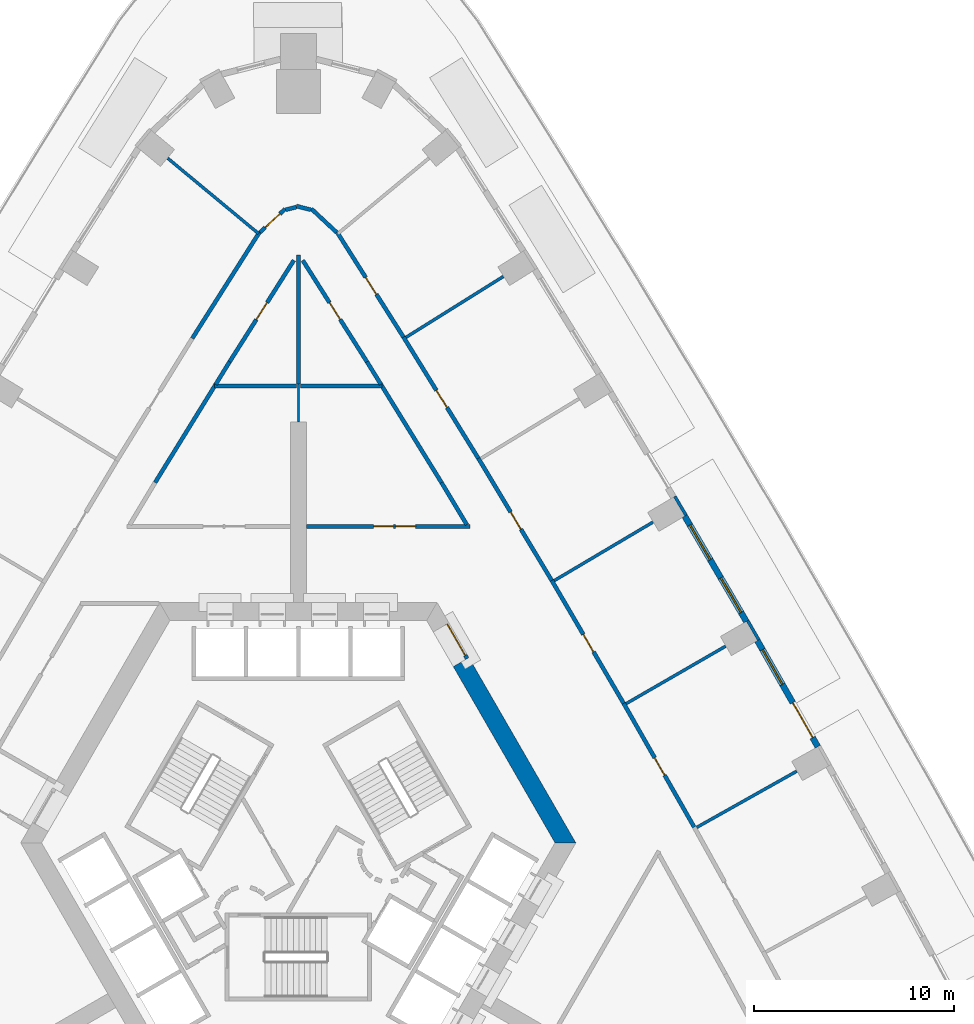
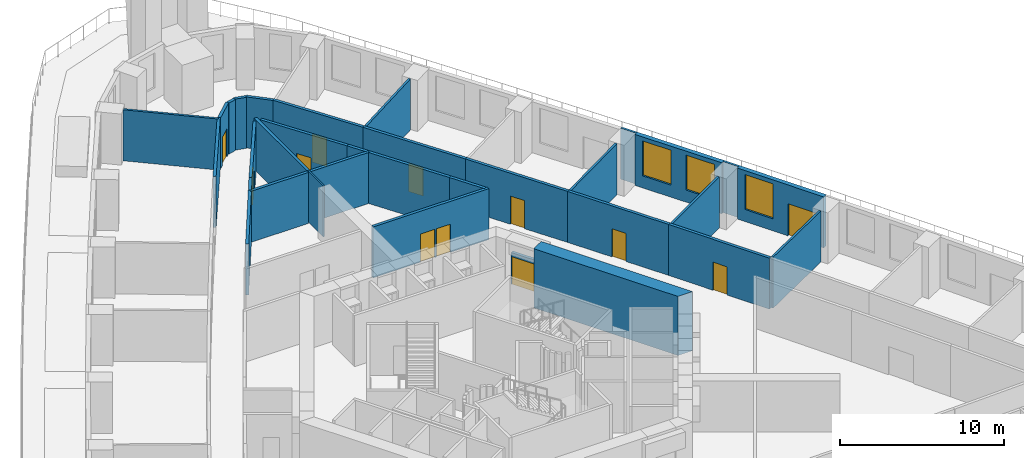
# One storey, part 10 of 16: 33 walls, 12 doors, 3 windows, 15 openings.
"""IFC4 building model written with IfcOpenShell, lengths in metres."""

from ifc_helpers import new_model, si_unit, direction, frame, frame_2d, origin, place, context, subcontext, project, spatial, polyline, rectangle, outline, extrude, material, layer, layer_set, type_object, element, fill, save


model = new_model("IFC4")

# Units and contexts
model_context = context("Model", 3, precision=1e-05, world=origin(), true_north=direction((0.0, 1.0)))
body_context = subcontext(model_context, "Body", "Model", "MODEL_VIEW")
ifc_project = project(units=[si_unit("LENGTHUNIT", "METRE"), si_unit("AREAUNIT", "SQUARE_METRE"), si_unit("VOLUMEUNIT", "CUBIC_METRE"), si_unit("PLANEANGLEUNIT", "RADIAN"), si_unit("MASSUNIT", "GRAM", prefix="KILO")], contexts=[model_context])

# Site, building, storey
site_placement = place(None, origin())
site = spatial("IfcSite", under=ifc_project, at=site_placement, CompositionType="ELEMENT")
building_placement = place(site_placement, origin())
building = spatial("IfcBuilding", under=site, at=building_placement, Name="Entoto Arch Interchange Tower", CompositionType="ELEMENT")
storey_placement = place(building_placement, frame((0.0, 0.0, 86.60009765625)))
storey = spatial("IfcBuildingStorey", under=building, at=storey_placement, Name="L18", CompositionType="ELEMENT", Elevation=86.60009765625)

# Wall, opening, door
ifc_material_1 = material(Name="Reinforced concrete C40/50", Category="concrete")
ifc_layer_1 = layer(ifc_material_1, 0.199951171875)
ifc_layer_set_1 = layer_set([ifc_layer_1], Name="Reinforced concrete C40/50")
wall_type_1 = type_object("IfcWallType", Name="CORE GAP INFILL WALL", PredefinedType="PARTITIONING", material=ifc_layer_set_1)
wall_1_placement = place(storey_placement, frame((8.429931640625, 11.697998046875, 0.0), z_axis=(0.0, 0.0, 1.0), x_axis=(-0.50002537861, 0.866010750942, 0.0)))
wall_1 = element("IfcWall", 1, at=wall_1_placement, inside=storey, type_object=wall_type_1, Name="wall:L18:gap2", PredefinedType="PARTITIONING", context=body_context, shape_type="SweptSolid", body=[
    extrude(rectangle(XDim=2.0, YDim=0.199951171875, at=frame_2d((1.0, 0.0))), origin(), (0.0, 0.0, 1.0), 2.39990234375),
])
opening_1_placement = place(wall_1_placement, frame((0.18994140625, 0.0, 0.0)))
opening_1 = element("IfcOpeningElement", 2, at=opening_1_placement, cuts=wall_1, Name="Opening L18-D92", PredefinedType="OPENING", context=body_context, shape_type="SweptSolid", body=[
    extrude(rectangle(XDim=1.800048828125, YDim=2.10009765625, at=frame_2d((0.89990234375, 1.050048828125))), frame((0.0, 0.10986328125, 0.0), z_axis=(0.0, -1.0, 0.0), x_axis=(1.0, 0.0, 0.0)), (0.0, 0.0, 1.0), 0.219970703125),
])
ifc_material_2 = material(Name="Fire-rated Steel S235 door and frame", Category="steel")
door_type_1 = type_object("IfcDoorType", Name="DOOR FD-18 1800x2100", OperationType="DOUBLE_DOOR_SINGLE_SWING", PredefinedType="DOOR", material=ifc_material_2)
door_1_placement = place(opening_1_placement, origin())
door_1 = element("IfcDoor", 3, at=door_1_placement, inside=storey, type_object=door_type_1, Name="door:L18:gap2", OperationType="DOUBLE_DOOR_SINGLE_SWING", OverallHeight=2.10009765625, OverallWidth=1.800048828125, PredefinedType="DOOR", context=body_context, shape_type="SweptSolid", body=[
    extrude(rectangle(XDim=1.800048828125, YDim=2.10009765625, at=frame_2d((0.89990234375, 1.050048828125))), frame((0.0, 0.02490234375, 0.0), z_axis=(0.0, -1.0, 0.0), x_axis=(1.0, 0.0, 0.0)), (0.0, 0.0, 1.0), 0.050048828125),
])
fill(opening_1, door_1)

# Walls
ifc_material_3 = material(Name="Concrete C60/75", Category="concrete")
ifc_layer_2 = layer(ifc_material_3, 0.89990234375)
ifc_layer_set_2 = layer_set([ifc_layer_2], Name="Concrete C60/75")
wall_type_2 = type_object("IfcWallType", Name="Core wall 900 C60/75", PredefinedType="SHEAR", material=ifc_layer_set_2)
wall_2_placement = place(storey_placement, frame((0.0, 0.0, -0.60009765625)))
element("IfcWall", 4, at=wall_2_placement, inside=storey, type_object=wall_type_2, Name="Core wall NE L18", PredefinedType="SHEAR", context=body_context, shape_type="SweptSolid", body=[
    extrude(outline(polyline([(8.51708984375, 11.748046875), (7.738037109375, 11.298095703125), (12.81689453125, 2.5), (13.85595703125, 2.5), (8.51708984375, 11.748046875)])), origin(), (0.0, 0.0, 1.0), 4.39990234375),
])
ifc_material_4 = material(Name="Gypsum board partition on steel studs", Category="steel")
ifc_layer_3 = layer(ifc_material_4, 0.10009765625)
ifc_layer_set_3 = layer_set([ifc_layer_3], Name="Gypsum board partition on steel studs")
wall_type_3 = type_object("IfcWallType", Name="PARTITION 100", PredefinedType="PARTITIONING", material=ifc_layer_set_3)
wall_3_placement = place(storey_placement, frame((0.0, 23.5, 0.0), z_axis=(0.0, 0.0, 1.0), x_axis=(0.0, 1.0, 0.0)))
element("IfcWall", 5, at=wall_3_placement, inside=storey, type_object=wall_type_3, Name="wall:L18:p103", PredefinedType="PARTITIONING", context=body_context, shape_type="SweptSolid", body=[
    extrude(rectangle(XDim=1.89990234375, YDim=0.10009765625, at=frame_2d((0.949951171875, 0.0))), origin(), (0.0, 0.0, 1.0), 3.7998046875),
])
ifc_layer_4 = layer(ifc_material_4, 0.14990234375)
ifc_layer_set_4 = layer_set([ifc_layer_4], Name="Gypsum board partition on steel studs")
wall_type_4 = type_object("IfcWallType", Name="PARTITION 150", PredefinedType="PARTITIONING", material=ifc_layer_set_4)
wall_4_placement = place(storey_placement, frame((19.887939453125, 3.27001953125, 0.0), z_axis=(0.0, 0.0, 1.0), x_axis=(0.871789386467, 0.489880868828, 0.0)))
element("IfcWall", 6, at=wall_4_placement, inside=storey, type_object=wall_type_4, Name="wall:L18:p117", PredefinedType="PARTITIONING", context=body_context, shape_type="SweptSolid", body=[
    extrude(rectangle(XDim=5.729736328125, YDim=0.14990234375, at=frame_2d((2.86474609375, 0.0))), origin(), (0.0, 0.0, 1.0), 3.7998046875),
])
wall_5_placement = place(storey_placement, frame((16.366943359375, 9.449951171875, 0.0), z_axis=(0.0, 0.0, 1.0), x_axis=(0.866061440635, 0.499937577149, 0.0)))
element("IfcWall", 7, at=wall_5_placement, inside=storey, type_object=wall_type_4, Name="wall:L18:p118", PredefinedType="PARTITIONING", context=body_context, shape_type="SweptSolid", body=[
    extrude(rectangle(XDim=5.730712890625, YDim=0.14990234375, at=frame_2d((2.865234375, 0.0))), origin(), (0.0, 0.0, 1.0), 3.7998046875),
])
wall_6_placement = place(storey_placement, frame((12.77587890625, 15.589111328125, 0.0), z_axis=(0.0, 0.0, 1.0), x_axis=(0.860225086153, 0.509914503768, 0.0)))
element("IfcWall", 8, at=wall_6_placement, inside=storey, type_object=wall_type_4, Name="wall:L18:p119", PredefinedType="PARTITIONING", context=body_context, shape_type="SweptSolid", body=[
    extrude(rectangle(XDim=5.730224609375, YDim=0.14990234375, at=frame_2d((2.865234375, 0.0))), origin(), (0.0, 0.0, 1.0), 3.7998046875),
])
wall_7_placement = place(storey_placement, frame((5.3779296875, 27.737060546875, 0.0), z_axis=(0.0, 0.0, 1.0), x_axis=(0.848005484868, 0.529987450449, 0.0)))
element("IfcWall", 9, at=wall_7_placement, inside=storey, type_object=wall_type_4, Name="wall:L18:p121", PredefinedType="PARTITIONING", context=body_context, shape_type="SweptSolid", body=[
    extrude(rectangle(XDim=5.72998046875, YDim=0.14990234375, at=frame_2d((2.864990234375, 0.0))), origin(), (0.0, 0.0, 1.0), 3.7998046875),
])
wall_8_placement = place(storey_placement, frame((-1.98193359375, 32.9130859375, 0.0), z_axis=(0.0, 0.0, 1.0), x_axis=(-0.769679976891, 0.638429896835, 0.0)))
element("IfcWall", 10, at=wall_8_placement, inside=storey, type_object=wall_type_4, Name="wall:L18:p123", PredefinedType="PARTITIONING", context=body_context, shape_type="SweptSolid", body=[
    extrude(rectangle(XDim=5.89111328125, YDim=0.14990234375, at=frame_2d((2.945556640625, 0.0))), origin(), (0.0, 0.0, 1.0), 3.7998046875),
])
ifc_layer_5 = layer(ifc_material_4, 0.199951171875)
ifc_layer_set_5 = layer_set([ifc_layer_5], Name="Gypsum board partition on steel studs")
wall_type_5 = type_object("IfcWallType", Name="PARTITION 200", PredefinedType="PARTITIONING", material=ifc_layer_set_5)
wall_9_placement = place(storey_placement, frame((8.410888671875, 18.385986328125, 0.0), z_axis=(0.0, 0.0, 1.0), x_axis=(-0.515008089027, 0.857185317325, 0.0)))
element("IfcWall", 11, at=wall_9_placement, inside=storey, type_object=wall_type_5, Name="wall:L18:p001", PredefinedType="PARTITIONING", context=body_context, shape_type="SweptSolid", body=[
    extrude(rectangle(XDim=2.452392578125, YDim=0.199951171875, at=frame_2d((1.22607421875, 0.0))), origin(), (0.0, 0.0, 1.0), 3.7998046875),
])
for number, where, z_axis, x_axis, name in (
    (12, (7.14794921875, 20.488037109375, 0.0), (0.0, 0.0, 1.0), (-0.525162244663, 0.851002125016, 0.0), "wall:L18:p002"),
    (13, (-4.1259765625, 25.385009765625, 0.0), (0.0, 0.0, 1.0), (-0.525162244663, -0.851002125016, 0.0), "wall:L18:p003"),
):
    element("IfcWall", number, at=place(storey_placement, frame(where, z_axis=z_axis, x_axis=x_axis)), inside=storey, type_object=wall_type_5, Name=name, PredefinedType="PARTITIONING", context=body_context, shape_type="SweptSolid", body=[
        extrude(rectangle(XDim=5.75439453125, YDim=0.199951171875, at=frame_2d((2.877197265625, 0.0))), origin(), (0.0, 0.0, 1.0), 3.7998046875),
    ])
wall_10_placement = place(storey_placement, frame((4.1259765625, 25.385009765625, 0.0), z_axis=(0.0, 0.0, 1.0), x_axis=(-0.524824420869, 0.851210507019, 0.0)))
element("IfcWall", 14, at=wall_10_placement, inside=storey, type_object=wall_type_5, Name="wall:L18:p008", PredefinedType="PARTITIONING", context=body_context, shape_type="SweptSolid", body=[
    extrude(rectangle(XDim=1.330078125, YDim=0.199951171875, at=frame_2d((0.6650390625, 0.0))), origin(), (0.0, 0.0, 1.0), 3.7998046875),
])

# Wall, opening, door
wall_11_placement = place(storey_placement, frame((3.427978515625, 26.51708984375, 0.0), z_axis=(0.0, 0.0, 1.0), x_axis=(-0.535034639024, 0.844830122003, 0.0)))
wall_11 = element("IfcWall", 15, at=wall_11_placement, inside=storey, type_object=wall_type_5, Name="wall:L18:p009", PredefinedType="PARTITIONING", context=body_context, shape_type="SweptSolid", body=[
    extrude(rectangle(XDim=5.994140625, YDim=0.199951171875, at=frame_2d((2.9970703125, 0.0))), origin(), (0.0, 0.0, 1.0), 3.7998046875),
])
opening_2_placement = place(wall_11_placement, frame((2.4970703125, 0.0, 0.0)))
opening_2 = element("IfcOpeningElement", 16, at=opening_2_placement, cuts=wall_11, Name="Opening L18-D26", PredefinedType="OPENING", context=body_context, shape_type="SweptSolid", body=[
    extrude(rectangle(XDim=1.0, YDim=2.10009765625, at=frame_2d((0.5, 1.050048828125))), frame((0.0, 0.10986328125, 0.0), z_axis=(0.0, -1.0, 0.0), x_axis=(1.0, 0.0, 0.0)), (0.0, 0.0, 1.0), 0.219970703125),
])
ifc_material_5 = material(Name="Timber door leaf in Steel S235 frame", Category="steel")
door_type_2 = type_object("IfcDoorType", Name="DOOR DS-10 1000x2100", OperationType="SINGLE_SWING_LEFT", PredefinedType="DOOR", material=ifc_material_5)
door_2_placement = place(opening_2_placement, origin())
door_2 = element("IfcDoor", 17, at=door_2_placement, inside=storey, type_object=door_type_2, Name="door:L18:26", OperationType="SINGLE_SWING_LEFT", OverallHeight=2.10009765625, OverallWidth=1.0, PredefinedType="DOOR", context=body_context, shape_type="SweptSolid", body=[
    extrude(rectangle(XDim=1.0, YDim=2.10009765625, at=frame_2d((0.5, 1.050048828125))), frame((0.0, 0.02490234375, 0.0), z_axis=(0.0, -1.0, 0.0), x_axis=(1.0, 0.0, 0.0)), (0.0, 0.0, 1.0), 0.050048828125),
])
fill(opening_2, door_2)

wall_12_placement = place(storey_placement, frame((-0.220947265625, 31.5810546875, 0.0), z_axis=(0.0, 0.0, 1.0), x_axis=(-0.535034639024, -0.844830122003, 0.0)))
wall_12 = element("IfcWall", 18, at=wall_12_placement, inside=storey, type_object=wall_type_5, Name="wall:L18:p010", PredefinedType="PARTITIONING", context=body_context, shape_type="SweptSolid", body=[
    extrude(rectangle(XDim=5.994140625, YDim=0.199951171875, at=frame_2d((2.9970703125, 0.0))), origin(), (0.0, 0.0, 1.0), 3.7998046875),
])
opening_3_placement = place(wall_12_placement, frame((2.4970703125, 0.0, 0.0)))
opening_3 = element("IfcOpeningElement", 19, at=opening_3_placement, cuts=wall_12, Name="Opening L18-D27", PredefinedType="OPENING", context=body_context, shape_type="SweptSolid", body=[
    extrude(rectangle(XDim=1.0, YDim=2.10009765625, at=frame_2d((0.5, 1.050048828125))), frame((0.0, 0.10986328125, 0.0), z_axis=(0.0, -1.0, 0.0), x_axis=(1.0, 0.0, 0.0)), (0.0, 0.0, 1.0), 0.219970703125),
])
door_3_placement = place(opening_3_placement, origin())
door_3 = element("IfcDoor", 20, at=door_3_placement, inside=storey, type_object=door_type_2, Name="door:L18:27", OperationType="SINGLE_SWING_LEFT", OverallHeight=2.10009765625, OverallWidth=1.0, PredefinedType="DOOR", context=body_context, shape_type="SweptSolid", body=[
    extrude(rectangle(XDim=1.0, YDim=2.10009765625, at=frame_2d((0.5, 1.050048828125))), frame((0.0, 0.02490234375, 0.0), z_axis=(0.0, -1.0, 0.0), x_axis=(1.0, 0.0, 0.0)), (0.0, 0.0, 1.0), 0.050048828125),
])
fill(opening_3, door_3)

# Wall
wall_13_placement = place(storey_placement, frame((-3.427978515625, 26.51708984375, 0.0), z_axis=(0.0, 0.0, 1.0), x_axis=(-0.524824420869, -0.851210507019, 0.0)))
element("IfcWall", 21, at=wall_13_placement, inside=storey, type_object=wall_type_5, Name="wall:L18:p011", PredefinedType="PARTITIONING", context=body_context, shape_type="SweptSolid", body=[
    extrude(rectangle(XDim=1.330078125, YDim=0.199951171875, at=frame_2d((0.6650390625, 0.0))), origin(), (0.0, 0.0, 1.0), 3.7998046875),
])

# Wall, opening, door
wall_14_placement = place(storey_placement, frame((16.242919921875, 9.465087890625, 0.0), z_axis=(0.0, 0.0, 1.0), x_axis=(0.495081262009, -0.868846674625, 0.0)))
wall_14 = element("IfcWall", 22, at=wall_14_placement, inside=storey, type_object=wall_type_5, Name="wall:L18:p042", PredefinedType="PARTITIONING", context=body_context, shape_type="SweptSolid", body=[
    extrude(rectangle(XDim=7.112060546875, YDim=0.199951171875, at=frame_2d((3.55615234375, 0.0))), origin(), (0.0, 0.0, 1.0), 3.7998046875),
])
opening_4_placement = place(wall_14_placement, frame((3.131103515625, 0.0, 0.0)))
opening_4 = element("IfcOpeningElement", 23, at=opening_4_placement, cuts=wall_14, Name="Opening L18-D08", PredefinedType="OPENING", context=body_context, shape_type="SweptSolid", body=[
    extrude(rectangle(XDim=1.0, YDim=2.10009765625, at=frame_2d((0.5, 1.050048828125))), frame((0.0, 0.10986328125, 0.0), z_axis=(0.0, -1.0, 0.0), x_axis=(1.0, 0.0, 0.0)), (0.0, 0.0, 1.0), 0.219970703125),
])
door_4_placement = place(opening_4_placement, origin())
door_4 = element("IfcDoor", 24, at=door_4_placement, inside=storey, type_object=door_type_2, Name="door:L18:08", OperationType="SINGLE_SWING_LEFT", OverallHeight=2.10009765625, OverallWidth=1.0, PredefinedType="DOOR", context=body_context, shape_type="SweptSolid", body=[
    extrude(rectangle(XDim=1.0, YDim=2.10009765625, at=frame_2d((0.5, 1.050048828125))), frame((0.0, 0.02490234375, 0.0), z_axis=(0.0, -1.0, 0.0), x_axis=(1.0, 0.0, 0.0)), (0.0, 0.0, 1.0), 0.050048828125),
])
fill(opening_4, door_4)

wall_15_placement = place(storey_placement, frame((12.652099609375, 15.60205078125, 0.0), z_axis=(0.0, 0.0, 1.0), x_axis=(0.504914693075, -0.863169249172, 0.0)))
wall_15 = element("IfcWall", 25, at=wall_15_placement, inside=storey, type_object=wall_type_5, Name="wall:L18:p043", PredefinedType="PARTITIONING", context=body_context, shape_type="SweptSolid", body=[
    extrude(rectangle(XDim=7.10986328125, YDim=0.199951171875, at=frame_2d((3.554931640625, 0.0))), origin(), (0.0, 0.0, 1.0), 3.7998046875),
])
opening_5_placement = place(wall_15_placement, frame((3.1298828125, 0.0, 0.0)))
opening_5 = element("IfcOpeningElement", 26, at=opening_5_placement, cuts=wall_15, Name="Opening L18-D09", PredefinedType="OPENING", context=body_context, shape_type="SweptSolid", body=[
    extrude(rectangle(XDim=1.0, YDim=2.10009765625, at=frame_2d((0.5, 1.050048828125))), frame((0.0, 0.10986328125, 0.0), z_axis=(0.0, -1.0, 0.0), x_axis=(1.0, 0.0, 0.0)), (0.0, 0.0, 1.0), 0.219970703125),
])
door_5_placement = place(opening_5_placement, origin())
door_5 = element("IfcDoor", 27, at=door_5_placement, inside=storey, type_object=door_type_2, Name="door:L18:09", OperationType="SINGLE_SWING_LEFT", OverallHeight=2.10009765625, OverallWidth=1.0, PredefinedType="DOOR", context=body_context, shape_type="SweptSolid", body=[
    extrude(rectangle(XDim=1.0, YDim=2.10009765625, at=frame_2d((0.5, 1.050048828125))), frame((0.0, 0.02490234375, 0.0), z_axis=(0.0, -1.0, 0.0), x_axis=(1.0, 0.0, 0.0)), (0.0, 0.0, 1.0), 0.050048828125),
])
fill(opening_5, door_5)

wall_16_placement = place(storey_placement, frame((8.989013671875, 21.696044921875, 0.0), z_axis=(0.0, 0.0, 1.0), x_axis=(0.515000602442, -0.857189815318, 0.0)))
wall_16 = element("IfcWall", 28, at=wall_16_placement, inside=storey, type_object=wall_type_5, Name="wall:L18:p044", PredefinedType="PARTITIONING", context=body_context, shape_type="SweptSolid", body=[
    extrude(rectangle(XDim=7.1103515625, YDim=0.199951171875, at=frame_2d((3.55517578125, 0.0))), origin(), (0.0, 0.0, 1.0), 3.7998046875),
])
opening_6_placement = place(wall_16_placement, frame((3.1298828125, 0.0, 0.0)))
opening_6 = element("IfcOpeningElement", 29, at=opening_6_placement, cuts=wall_16, Name="Opening L18-D10", PredefinedType="OPENING", context=body_context, shape_type="SweptSolid", body=[
    extrude(rectangle(XDim=1.0, YDim=2.10009765625, at=frame_2d((0.5, 1.050048828125))), frame((0.0, 0.10986328125, 0.0), z_axis=(0.0, -1.0, 0.0), x_axis=(1.0, 0.0, 0.0)), (0.0, 0.0, 1.0), 0.219970703125),
])
door_6_placement = place(opening_6_placement, origin())
door_6 = element("IfcDoor", 30, at=door_6_placement, inside=storey, type_object=door_type_2, Name="door:L18:10", OperationType="SINGLE_SWING_LEFT", OverallHeight=2.10009765625, OverallWidth=1.0, PredefinedType="DOOR", context=body_context, shape_type="SweptSolid", body=[
    extrude(rectangle(XDim=1.0, YDim=2.10009765625, at=frame_2d((0.5, 1.050048828125))), frame((0.0, 0.02490234375, 0.0), z_axis=(0.0, -1.0, 0.0), x_axis=(1.0, 0.0, 0.0)), (0.0, 0.0, 1.0), 0.050048828125),
])
fill(opening_6, door_6)

wall_17_placement = place(storey_placement, frame((5.25390625, 27.7470703125, 0.0), z_axis=(0.0, 0.0, 1.0), x_axis=(0.52516023635, -0.851003364363, 0.0)))
wall_17 = element("IfcWall", 31, at=wall_17_placement, inside=storey, type_object=wall_type_5, Name="wall:L18:p045", PredefinedType="PARTITIONING", context=body_context, shape_type="SweptSolid", body=[
    extrude(rectangle(XDim=7.1103515625, YDim=0.199951171875, at=frame_2d((3.55517578125, 0.0))), origin(), (0.0, 0.0, 1.0), 3.7998046875),
])
opening_7_placement = place(wall_17_placement, frame((3.1298828125, 0.0, 0.0)))
opening_7 = element("IfcOpeningElement", 32, at=opening_7_placement, cuts=wall_17, Name="Opening L18-D11", PredefinedType="OPENING", context=body_context, shape_type="SweptSolid", body=[
    extrude(rectangle(XDim=1.0, YDim=2.10009765625, at=frame_2d((0.5, 1.050048828125))), frame((0.0, 0.10986328125, 0.0), z_axis=(0.0, -1.0, 0.0), x_axis=(1.0, 0.0, 0.0)), (0.0, 0.0, 1.0), 0.219970703125),
])
door_7_placement = place(opening_7_placement, origin())
door_7 = element("IfcDoor", 33, at=door_7_placement, inside=storey, type_object=door_type_2, Name="door:L18:11", OperationType="SINGLE_SWING_LEFT", OverallHeight=2.10009765625, OverallWidth=1.0, PredefinedType="DOOR", context=body_context, shape_type="SweptSolid", body=[
    extrude(rectangle(XDim=1.0, YDim=2.10009765625, at=frame_2d((0.5, 1.050048828125))), frame((0.0, 0.02490234375, 0.0), z_axis=(0.0, -1.0, 0.0), x_axis=(1.0, 0.0, 0.0)), (0.0, 0.0, 1.0), 0.050048828125),
])
fill(opening_7, door_7)

wall_18_placement = place(storey_placement, frame((1.928955078125, 32.9970703125, 0.0), z_axis=(0.0, 0.0, 1.0), x_axis=(0.534863276222, -0.844938622474, 0.0)))
wall_18 = element("IfcWall", 34, at=wall_18_placement, inside=storey, type_object=wall_type_5, Name="wall:L18:p046", PredefinedType="PARTITIONING", context=body_context, shape_type="SweptSolid", body=[
    extrude(rectangle(XDim=6.214599609375, YDim=0.199951171875, at=frame_2d((3.107421875, 0.0))), origin(), (0.0, 0.0, 1.0), 3.7998046875),
])
opening_8_placement = place(wall_18_placement, frame((2.681884765625, 0.0, 0.0)))
opening_8 = element("IfcOpeningElement", 35, at=opening_8_placement, cuts=wall_18, Name="Opening L18-D12", PredefinedType="OPENING", context=body_context, shape_type="SweptSolid", body=[
    extrude(rectangle(XDim=1.0, YDim=2.10009765625, at=frame_2d((0.5, 1.050048828125))), frame((0.0, 0.10986328125, 0.0), z_axis=(0.0, -1.0, 0.0), x_axis=(1.0, 0.0, 0.0)), (0.0, 0.0, 1.0), 0.219970703125),
])
door_8_placement = place(opening_8_placement, origin())
door_8 = element("IfcDoor", 36, at=door_8_placement, inside=storey, type_object=door_type_2, Name="door:L18:12", OperationType="SINGLE_SWING_LEFT", OverallHeight=2.10009765625, OverallWidth=1.0, PredefinedType="DOOR", context=body_context, shape_type="SweptSolid", body=[
    extrude(rectangle(XDim=1.0, YDim=2.10009765625, at=frame_2d((0.5, 1.050048828125))), frame((0.0, 0.02490234375, 0.0), z_axis=(0.0, -1.0, 0.0), x_axis=(1.0, 0.0, 0.0)), (0.0, 0.0, 1.0), 0.050048828125),
])
fill(opening_8, door_8)

wall_19_placement = place(storey_placement, frame((-1.908935546875, 32.98095703125, 0.0), z_axis=(0.0, 0.0, 1.0), x_axis=(0.731549606095, 0.681788217721, 0.0)))
wall_19 = element("IfcWall", 37, at=wall_19_placement, inside=storey, type_object=wall_type_5, Name="wall:L18:p047", PredefinedType="PARTITIONING", context=body_context, shape_type="SweptSolid", body=[
    extrude(rectangle(XDim=1.707275390625, YDim=0.199951171875, at=frame_2d((0.853515625, 0.0))), origin(), (0.0, 0.0, 1.0), 3.7998046875),
])
opening_9_placement = place(wall_19_placement, frame((0.35302734375, 0.0, 0.0)))
opening_9 = element("IfcOpeningElement", 38, at=opening_9_placement, cuts=wall_19, Name="Opening L18-D13", PredefinedType="OPENING", context=body_context, shape_type="SweptSolid", body=[
    extrude(rectangle(XDim=1.0, YDim=2.10009765625, at=frame_2d((0.5, 1.050048828125))), frame((0.0, 0.10986328125, 0.0), z_axis=(0.0, -1.0, 0.0), x_axis=(1.0, 0.0, 0.0)), (0.0, 0.0, 1.0), 0.219970703125),
])
door_9_placement = place(opening_9_placement, origin())
door_9 = element("IfcDoor", 39, at=door_9_placement, inside=storey, type_object=door_type_2, Name="door:L18:13", OperationType="SINGLE_SWING_RIGHT", OverallHeight=2.10009765625, OverallWidth=1.0, PredefinedType="DOOR", context=body_context, shape_type="SweptSolid", body=[
    extrude(rectangle(XDim=1.0, YDim=2.10009765625, at=frame_2d((0.5, 1.050048828125))), frame((0.0, 0.02490234375, 0.0), z_axis=(0.0, -1.0, 0.0), x_axis=(1.0, 0.0, 0.0)), (0.0, 0.0, 1.0), 0.050048828125),
])
fill(opening_9, door_9)

# Walls
wall_20_placement = place(storey_placement, frame((-0.636962890625, 34.10107421875, 0.0), z_axis=(0.0, 0.0, 1.0), x_axis=(0.968893133717, 0.247479484878, 0.0)))
element("IfcWall", 40, at=wall_20_placement, inside=storey, type_object=wall_type_5, Name="wall:L18:p048", PredefinedType="PARTITIONING", context=body_context, shape_type="SweptSolid", body=[
    extrude(rectangle(XDim=0.557373046875, YDim=0.199951171875, at=frame_2d((0.27880859375, 0.0))), origin(), (0.0, 0.0, 1.0), 3.7998046875),
])
wall_21_placement = place(storey_placement, frame((-0.096923828125, 34.2890625, 0.0), z_axis=(0.0, 0.0, 1.0), x_axis=(0.96872347969, -0.248142740972, 0.0)))
element("IfcWall", 41, at=wall_21_placement, inside=storey, type_object=wall_type_5, Name="wall:L18:p049", PredefinedType="PARTITIONING", context=body_context, shape_type="SweptSolid", body=[
    extrude(rectangle(XDim=0.757568359375, YDim=0.199951171875, at=frame_2d((0.37890625, 0.0))), origin(), (0.0, 0.0, 1.0), 3.7998046875),
])
wall_22_placement = place(storey_placement, frame((0.659912109375, 34.14501953125, 0.0), z_axis=(0.0, 0.0, 1.0), x_axis=(0.731549606095, -0.681788217721, 0.0)))
element("IfcWall", 42, at=wall_22_placement, inside=storey, type_object=wall_type_5, Name="wall:L18:p050", PredefinedType="PARTITIONING", context=body_context, shape_type="SweptSolid", body=[
    extrude(rectangle(XDim=1.707275390625, YDim=0.199951171875, at=frame_2d((0.853515625, 0.0))), origin(), (0.0, 0.0, 1.0), 3.7998046875),
])
wall_23_placement = place(storey_placement, frame((-5.29296875, 27.68408203125, 0.0), z_axis=(0.0, 0.0, 1.0), x_axis=(0.534952324147, 0.844882246759, 0.0)))
element("IfcWall", 43, at=wall_23_placement, inside=storey, type_object=wall_type_5, Name="wall:L18:p052", PredefinedType="PARTITIONING", context=body_context, shape_type="SweptSolid", body=[
    extrude(rectangle(XDim=6.288330078125, YDim=0.199951171875, at=frame_2d((3.14404296875, 0.0))), origin(), (0.0, 0.0, 1.0), 3.7998046875),
])

# Wall, openings, doors
wall_24_placement = place(storey_placement, frame((0.39990234375, 18.300048828125, 0.0), z_axis=(0.0, 0.0, 1.0), x_axis=(1.0, 0.0, 0.0)))
wall_24 = element("IfcWall", 44, at=wall_24_placement, inside=storey, type_object=wall_type_5, Name="wall:L18:p099", PredefinedType="PARTITIONING", context=body_context, shape_type="SweptSolid", body=[
    extrude(rectangle(XDim=8.1630859375, YDim=0.199951171875, at=frame_2d((4.08154296875, 0.0))), origin(), (0.0, 0.0, 1.0), 3.7998046875),
])
opening_10_placement = place(wall_24_placement, frame((3.35595703125, 0.0, 0.0)))
opening_10 = element("IfcOpeningElement", 45, at=opening_10_placement, cuts=wall_24, Name="Opening L18-D24", PredefinedType="OPENING", context=body_context, shape_type="SweptSolid", body=[
    extrude(rectangle(XDim=1.0, YDim=2.10009765625, at=frame_2d((0.5, 1.050048828125))), frame((0.0, 0.10986328125, 0.0), z_axis=(0.0, -1.0, 0.0), x_axis=(1.0, 0.0, 0.0)), (0.0, 0.0, 1.0), 0.219970703125),
])
opening_11_placement = place(wall_24_placement, frame((4.4560546875, 0.0, 0.0)))
opening_11 = element("IfcOpeningElement", 46, at=opening_11_placement, cuts=wall_24, Name="Opening L18-D37", PredefinedType="OPENING", context=body_context, shape_type="SweptSolid", body=[
    extrude(rectangle(XDim=1.0, YDim=2.10009765625, at=frame_2d((0.5, 1.050048828125))), frame((0.0, 0.10986328125, 0.0), z_axis=(0.0, -1.0, 0.0), x_axis=(1.0, 0.0, 0.0)), (0.0, 0.0, 1.0), 0.219970703125),
])
door_10_placement = place(opening_10_placement, origin())
door_10 = element("IfcDoor", 47, at=door_10_placement, inside=storey, type_object=door_type_2, Name="door:L18:24", OperationType="SINGLE_SWING_RIGHT", OverallHeight=2.10009765625, OverallWidth=1.0, PredefinedType="DOOR", context=body_context, shape_type="SweptSolid", body=[
    extrude(rectangle(XDim=1.0, YDim=2.10009765625, at=frame_2d((0.5, 1.050048828125))), frame((0.0, 0.02490234375, 0.0), z_axis=(0.0, -1.0, 0.0), x_axis=(1.0, 0.0, 0.0)), (0.0, 0.0, 1.0), 0.050048828125),
])
fill(opening_10, door_10)
door_11_placement = place(opening_11_placement, origin())
door_11 = element("IfcDoor", 48, at=door_11_placement, inside=storey, type_object=door_type_2, Name="door:L18:37", OperationType="SINGLE_SWING_RIGHT", OverallHeight=2.10009765625, OverallWidth=1.0, PredefinedType="DOOR", context=body_context, shape_type="SweptSolid", body=[
    extrude(rectangle(XDim=1.0, YDim=2.10009765625, at=frame_2d((0.5, 1.050048828125))), frame((0.0, 0.02490234375, 0.0), z_axis=(0.0, -1.0, 0.0), x_axis=(1.0, 0.0, 0.0)), (0.0, 0.0, 1.0), 0.050048828125),
])
fill(opening_11, door_11)

# Walls
for number, where, z_axis, x_axis, name in (
    (49, (0.10009765625, 25.300048828125, 0.0), (0.0, 0.0, 1.0), (1.0, 0.0, 0.0), "wall:L18:p104"),
    (50, (-4.178955078125, 25.300048828125, 0.0), (0.0, 0.0, 1.0), (1.0, 0.0, 0.0), "wall:L18:p105"),
):
    element("IfcWall", number, at=place(storey_placement, frame(where, z_axis=z_axis, x_axis=x_axis)), inside=storey, type_object=wall_type_5, Name=name, PredefinedType="PARTITIONING", context=body_context, shape_type="SweptSolid", body=[
        extrude(rectangle(XDim=4.078857421875, YDim=0.199951171875, at=frame_2d((2.03955078125, 0.0))), origin(), (0.0, 0.0, 1.0), 3.7998046875),
    ])
wall_25_placement = place(storey_placement, frame((0.0, 25.39990234375, 0.0), z_axis=(0.0, 0.0, 1.0), x_axis=(0.0, 1.0, 0.0)))
element("IfcWall", 51, at=wall_25_placement, inside=storey, type_object=wall_type_5, Name="wall:L18:p106", PredefinedType="PARTITIONING", context=body_context, shape_type="SweptSolid", body=[
    extrude(rectangle(XDim=6.453125, YDim=0.199951171875, at=frame_2d((3.2265625, 0.0))), origin(), (0.0, 0.0, 1.0), 3.7998046875),
])

# Wall, openings, door, window
ifc_material_6 = material(Name="Welded tuff (ignimbrite) cladding, warm buff", Category="masonry")
ifc_layer_6 = layer(ifc_material_6, 0.300048828125)
ifc_layer_set_6 = layer_set([ifc_layer_6], Name="Welded tuff (ignimbrite) cladding, warm buff")
wall_type_6 = type_object("IfcWallType", Name="STONE INFILL WALL 300", PredefinedType="STANDARD", material=ifc_layer_set_6)
wall_26_placement = place(storey_placement, frame((25.93603515625, 7.299072265625, 0.0), z_axis=(0.0, 0.0, 1.0), x_axis=(-0.49492259535, 0.868937065967, 0.0)))
wall_26 = element("IfcWall", 52, at=wall_26_placement, inside=storey, type_object=wall_type_6, Name="Facade wall NE-04 L18", PredefinedType="STANDARD", context=body_context, shape_type="SweptSolid", body=[
    extrude(rectangle(XDim=6.09814453125, YDim=0.300048828125, at=frame_2d((3.049072265625, 0.0))), origin(), (0.0, 0.0, 1.0), 3.7998046875),
])
opening_12_placement = place(wall_26_placement, frame((0.52490234375, 0.0, 0.0)))
opening_12 = element("IfcOpeningElement", 53, at=opening_12_placement, cuts=wall_26, Name="Opening DT-NE-04-L18", PredefinedType="OPENING", context=body_context, shape_type="SweptSolid", body=[
    extrude(rectangle(XDim=2.0, YDim=2.39990234375, at=frame_2d((1.0, 1.199951171875))), frame((0.0, 0.16015625, 0.0), z_axis=(0.0, -1.0, 0.0), x_axis=(1.0, 0.0, 0.0)), (0.0, 0.0, 1.0), 0.320068359375),
])
opening_13_placement = place(wall_26_placement, frame((3.573974609375, 0.0, 0.89990234375)))
opening_13 = element("IfcOpeningElement", 54, at=opening_13_placement, cuts=wall_26, Name="Opening WO-C", PredefinedType="OPENING", context=body_context, shape_type="SweptSolid", body=[
    extrude(rectangle(XDim=2.0, YDim=2.60009765625, at=frame_2d((1.0, 1.300048828125))), frame((0.0, 0.16015625, 0.0), z_axis=(0.0, -1.0, 0.0), x_axis=(1.0, 0.0, 0.0)), (0.0, 0.0, 1.0), 0.320068359375),
])
ifc_material_7 = material(Name="Aluminium and clear glass, anodised", Category="aluminium")
door_type_3 = type_object("IfcDoorType", Name="TERRACE DOOR DT 2000x2400", OperationType="SLIDING_TO_LEFT", PredefinedType="DOOR", material=ifc_material_7)
door_12_placement = place(opening_12_placement, origin())
door_12 = element("IfcDoor", 55, at=door_12_placement, inside=storey, type_object=door_type_3, Name="Terrace door NE-04 L18", OperationType="SLIDING_TO_LEFT", OverallHeight=2.39990234375, OverallWidth=2.0, PredefinedType="DOOR", context=body_context, shape_type="SweptSolid", body=[
    extrude(rectangle(XDim=2.0, YDim=2.39990234375, at=frame_2d((1.0, 1.199951171875))), frame((0.0, 0.02490234375, 0.0), z_axis=(0.0, -1.0, 0.0), x_axis=(1.0, 0.0, 0.0)), (0.0, 0.0, 1.0), 0.050048828125),
])
fill(opening_12, door_12)
ifc_material_8 = material(Name="Clear glass, low-e double glazed", Category="glass")
window_type = type_object("IfcWindowType", Name="WINDOW WO-C 2000x2600", PartitioningType="DOUBLE_PANEL_VERTICAL", PredefinedType="WINDOW", material=ifc_material_8)
window_1_placement = place(opening_13_placement, origin())
window_1 = element("IfcWindow", 56, at=window_1_placement, inside=storey, type_object=window_type, Name="Window WO-C NE-04 L18", OverallHeight=2.60009765625, OverallWidth=2.0, PartitioningType="SINGLE_PANEL", PredefinedType="WINDOW", context=body_context, shape_type="SweptSolid", body=[
    extrude(rectangle(XDim=2.0, YDim=2.60009765625, at=frame_2d((1.0, 1.300048828125))), frame((0.0, 0.030029296875, 0.0), z_axis=(0.0, -1.0, 0.0), x_axis=(1.0, 0.0, 0.0)), (0.0, 0.0, 1.0), 0.06005859375),
])
fill(opening_13, window_1)

# Wall, openings, windows
wall_27_placement = place(storey_placement, frame((22.368896484375, 13.549072265625, 0.0), z_axis=(0.0, 0.0, 1.0), x_axis=(-0.504998117261, 0.863120444413, 0.0)))
wall_27 = element("IfcWall", 57, at=wall_27_placement, inside=storey, type_object=wall_type_6, Name="Facade wall NE-05 L18", PredefinedType="STANDARD", context=body_context, shape_type="SweptSolid", body=[
    extrude(rectangle(XDim=6.0986328125, YDim=0.300048828125, at=frame_2d((3.04931640625, 0.0))), origin(), (0.0, 0.0, 1.0), 3.7998046875),
])
opening_14_placement = place(wall_27_placement, frame((0.52490234375, 0.0, 0.89990234375)))
opening_14 = element("IfcOpeningElement", 58, at=opening_14_placement, cuts=wall_27, Name="Opening WO-C", PredefinedType="OPENING", context=body_context, shape_type="SweptSolid", body=[
    extrude(rectangle(XDim=2.0, YDim=2.60009765625, at=frame_2d((1.0, 1.300048828125))), frame((0.0, 0.16015625, 0.0), z_axis=(0.0, -1.0, 0.0), x_axis=(1.0, 0.0, 0.0)), (0.0, 0.0, 1.0), 0.320068359375),
])
opening_15_placement = place(wall_27_placement, frame((3.573974609375, 0.0, 0.89990234375)))
opening_15 = element("IfcOpeningElement", 59, at=opening_15_placement, cuts=wall_27, Name="Opening WO-C", PredefinedType="OPENING", context=body_context, shape_type="SweptSolid", body=[
    extrude(rectangle(XDim=2.0, YDim=2.60009765625, at=frame_2d((1.0, 1.300048828125))), frame((0.0, 0.16015625, 0.0), z_axis=(0.0, -1.0, 0.0), x_axis=(1.0, 0.0, 0.0)), (0.0, 0.0, 1.0), 0.320068359375),
])
window_2_placement = place(opening_14_placement, origin())
window_2 = element("IfcWindow", 60, at=window_2_placement, inside=storey, type_object=window_type, Name="Window WO-C NE-05 L18", OverallHeight=2.60009765625, OverallWidth=2.0, PartitioningType="SINGLE_PANEL", PredefinedType="WINDOW", context=body_context, shape_type="SweptSolid", body=[
    extrude(rectangle(XDim=2.0, YDim=2.60009765625, at=frame_2d((1.0, 1.300048828125))), frame((0.0, 0.030029296875, 0.0), z_axis=(0.0, -1.0, 0.0), x_axis=(1.0, 0.0, 0.0)), (0.0, 0.0, 1.0), 0.06005859375),
])
fill(opening_14, window_2)
window_3_placement = place(opening_15_placement, origin())
window_3 = element("IfcWindow", 61, at=window_3_placement, inside=storey, type_object=window_type, Name="Window WO-C NE-05 L18", OverallHeight=2.60009765625, OverallWidth=2.0, PartitioningType="SINGLE_PANEL", PredefinedType="WINDOW", context=body_context, shape_type="SweptSolid", body=[
    extrude(rectangle(XDim=2.0, YDim=2.60009765625, at=frame_2d((1.0, 1.300048828125))), frame((0.0, 0.030029296875, 0.0), z_axis=(0.0, -1.0, 0.0), x_axis=(1.0, 0.0, 0.0)), (0.0, 0.0, 1.0), 0.06005859375),
])
fill(opening_15, window_3)

# Walls
ifc_layer_7 = layer(ifc_material_6, 0.14990234375)
ifc_layer_set_7 = layer_set([ifc_layer_7], Name="Welded tuff (ignimbrite) cladding, warm buff")
wall_type_7 = type_object("IfcWallType", Name="STONE PIER CLADDING 150", PredefinedType="STANDARD", material=ifc_layer_set_7)
wall_28_placement = place(storey_placement, frame((22.986083984375, 12.635986328125, 0.0), z_axis=(0.0, 0.0, 1.0), x_axis=(-0.499837685251, 0.86611909597, 0.0)))
element("IfcWall", 62, at=wall_28_placement, inside=storey, type_object=wall_type_7, Name="Stone pier NE05 L18", PredefinedType="STANDARD", context=body_context, shape_type="SweptSolid", body=[
    extrude(rectangle(XDim=1.100341796875, YDim=0.14990234375, at=frame_2d((0.55029296875, 0.0))), origin(), (0.0, 0.0, 1.0), 3.7998046875),
])
wall_29_placement = place(storey_placement, frame((19.35693359375, 18.85205078125, 0.0), z_axis=(0.0, 0.0, 1.0), x_axis=(-0.510082245696, 0.860125631885, 0.0)))
element("IfcWall", 63, at=wall_29_placement, inside=storey, type_object=wall_type_7, Name="Stone pier NE06 L18", PredefinedType="STANDARD", context=body_context, shape_type="SweptSolid", body=[
    extrude(rectangle(XDim=1.099853515625, YDim=0.14990234375, at=frame_2d((0.5498046875, 0.0))), origin(), (0.0, 0.0, 1.0), 3.7998046875),
])

save(model, "model.ifc")
